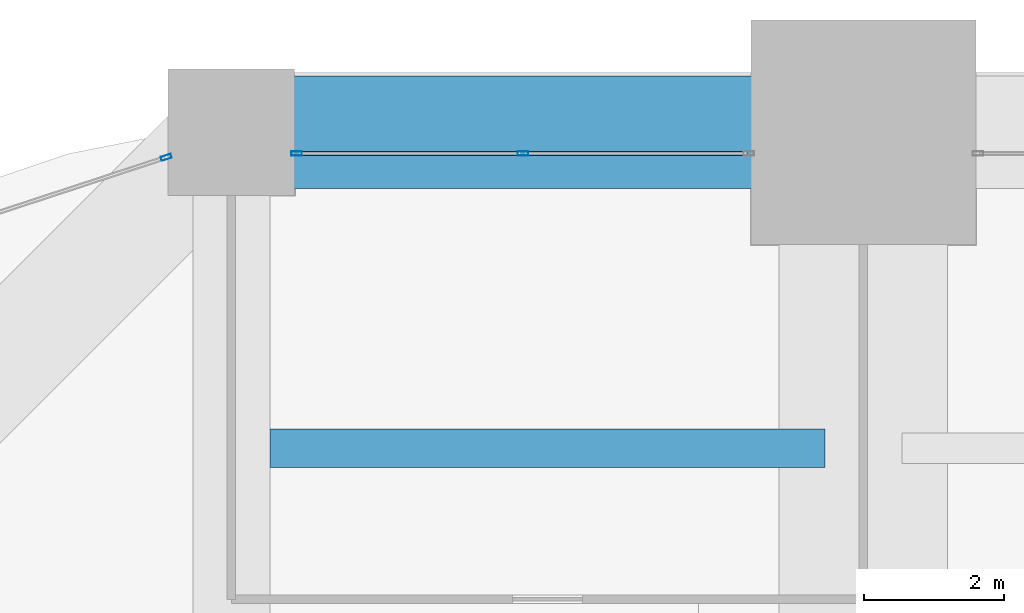
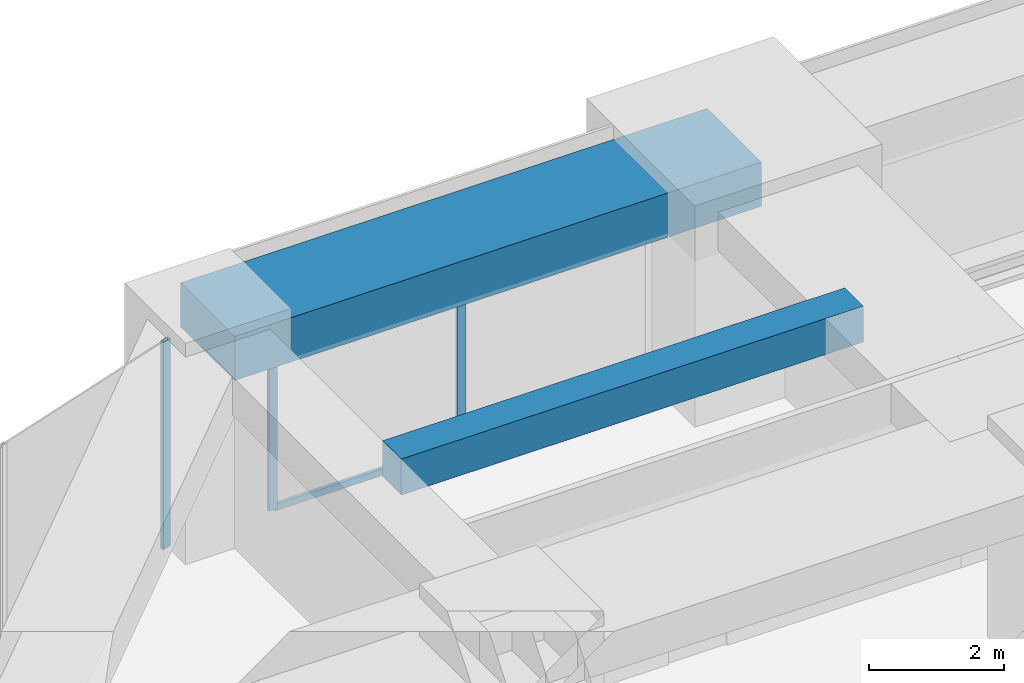
# One storey, part 23 of 35: 4 members, 2 beams, 2 elements without a shape of their own.
"""IFC4 building model written with IfcOpenShell, lengths in metres."""

from ifc_helpers import new_model, si_unit, direction, frame, origin, origin_2d, place, context, subcontext, project, spatial, rectangle, hollow_rectangle, extrude, material, material_profile, profile_set, type_object, element, aggregate, save


model = new_model("IFC4")

# Units and contexts
model_context = context("Model", 3, precision=1e-05, world=origin(), true_north=direction((0.0, 1.0)))
body_context = subcontext(model_context, "Body", "Model", "MODEL_VIEW")
ifc_project = project(units=[si_unit("LENGTHUNIT", "METRE"), si_unit("AREAUNIT", "SQUARE_METRE"), si_unit("VOLUMEUNIT", "CUBIC_METRE"), si_unit("PLANEANGLEUNIT", "RADIAN"), si_unit("MASSUNIT", "GRAM", prefix="KILO")], contexts=[model_context])

# Site, building, storey
site_placement = place(None, origin())
site = spatial("IfcSite", under=ifc_project, at=site_placement, CompositionType="ELEMENT")
building_placement = place(site_placement, origin())
building = spatial("IfcBuilding", under=site, at=building_placement, Name="Zorevar Civic Tower", CompositionType="ELEMENT")
storey_placement = place(building_placement, frame((0.0, 0.0, 162.199951171875)))
storey = spatial("IfcBuildingStorey", under=building, at=storey_placement, Name="L39", CompositionType="ELEMENT", Elevation=162.199951171875)

# Beam
ifc_material_1 = material(Name="Concrete C50/60", Category="concrete")
ifc_material_profile_1 = material_profile(ifc_material_1, rectangle(XDim=0.550048828125, YDim=0.64990234375, at=origin_2d()), Name="RC 550x650")
ifc_profile_set_1 = profile_set([ifc_material_profile_1], Name="Concrete C50/60")
beam_type_1 = type_object("IfcBeamType", Name="Beam RC 550x650", PredefinedType="BEAM", material=ifc_profile_set_1)
beam_1_placement = place(storey_placement, frame((9.550048828125, 40.5, 3.425048828125), z_axis=(1.0, 0.0, 0.0), x_axis=(0.0, 1.0, 0.0)))
element("IfcBeam", 1, at=beam_1_placement, inside=storey, type_object=beam_type_1, Name="Secondary beam L40", PredefinedType="BEAM", context=body_context, shape_type="SweptSolid", body=[
    extrude(rectangle(XDim=0.550048828125, YDim=0.64990234375, at=origin_2d()), origin(), (0.0, 0.0, 1.0), 7.89990234375),
])

# Curtain wall, members
ifc_material_2 = material(Name="Dark grey solar-control glass in black aluminium frame", Category="aluminium")
curtain_wall_type = type_object("IfcCurtainWallType", Name="Curtain wall CW4 high zone", PredefinedType="NOTDEFINED", material=ifc_material_2)
curtain_wall_1_placement = place(storey_placement, origin())
curtain_wall_1 = element("IfcCurtainWall", 2, at=curtain_wall_1_placement, inside=storey, type_object=curtain_wall_type, Name="CW4 L39", PredefinedType="NOTDEFINED")
ifc_material_3 = material(Name="Aluminium, black anodised", Category="aluminium")
ifc_material_profile_2 = material_profile(ifc_material_3, hollow_rectangle(XDim=0.06005859375, YDim=0.14990234375, WallThickness=0.00390625, at=origin_2d()), Name="AL 150x60x4")
ifc_profile_set_2 = profile_set([ifc_material_profile_2], Name="Aluminium, black anodised")
member_type_1 = type_object("IfcMemberType", Name="CW4 mullion AL 150x60x4", PredefinedType="MULLION", material=ifc_profile_set_2)
member_1_placement = place(storey_placement, frame((9.929931640625, 44.699951171875, 0.0), z_axis=(0.0, 0.0, 1.0), x_axis=(0.0, 1.0, 0.0)))
member_1 = element("IfcMember", 3, at=member_1_placement, type_object=member_type_1, Name="CW4 mullion 1", PredefinedType="MULLION", context=body_context, shape_type="SweptSolid", body=[
    extrude(hollow_rectangle(XDim=0.06005859375, YDim=0.14990234375, WallThickness=0.00390625, at=origin_2d()), origin(), (0.0, 0.0, 1.0), 2.949951171875),
])
member_2_placement = place(storey_placement, frame((13.14990234375, 44.699951171875, 0.06005859375), z_axis=(0.0, 0.0, 1.0), x_axis=(0.0, 1.0, 0.0)))
member_2 = element("IfcMember", 4, at=member_2_placement, type_object=member_type_1, Name="CW4 mullion 2", PredefinedType="MULLION", context=body_context, shape_type="SweptSolid", body=[
    extrude(hollow_rectangle(XDim=0.06005859375, YDim=0.14990234375, WallThickness=0.00390625, at=origin_2d()), origin(), (0.0, 0.0, 1.0), 2.889892578125),
])

# Curtain wall, member
curtain_wall_2_placement = place(storey_placement, origin())
curtain_wall_2 = element("IfcCurtainWall", 5, at=curtain_wall_2_placement, inside=storey, type_object=curtain_wall_type, Name="CW4 L39", PredefinedType="NOTDEFINED")
member_3_placement = place(storey_placement, frame((8.071533203125, 44.64404296875, 0.0), z_axis=(0.0, 0.0, 1.0), x_axis=(0.31203637361, -0.950070156117, 0.0)))
member_3 = element("IfcMember", 6, at=member_3_placement, type_object=member_type_1, Name="CW4 mullion 1", PredefinedType="MULLION", context=body_context, shape_type="SweptSolid", body=[
    extrude(hollow_rectangle(XDim=0.06005859375, YDim=0.14990234375, WallThickness=0.00390625, at=origin_2d()), origin(), (0.0, 0.0, 1.0), 3.75),
])
aggregate(curtain_wall_2, [member_3])

# Member
ifc_material_4 = material(Name="Aluminium, black anodised", Category="aluminium")
ifc_material_profile_3 = material_profile(ifc_material_4, hollow_rectangle(XDim=0.06005859375, YDim=0.1201171875, WallThickness=0.0029296875, at=origin_2d()), Name="AL 120x60x3")
ifc_profile_set_3 = profile_set([ifc_material_profile_3], Name="Aluminium, black anodised")
member_type_2 = type_object("IfcMemberType", Name="CW4 transom AL 120x60x3", PredefinedType="USERDEFINED", material=ifc_profile_set_3)
member_4_placement = place(storey_placement, frame((9.9599609375, 44.699951171875, 0.030029296875), z_axis=(1.0, 0.0, 0.0), x_axis=(0.0, 1.0, 0.0)))
member_4 = element("IfcMember", 7, at=member_4_placement, type_object=member_type_2, Name="CW4 sill transom", ObjectType="TRANSOM", PredefinedType="USERDEFINED", context=body_context, shape_type="SweptSolid", body=[
    extrude(hollow_rectangle(XDim=0.06005859375, YDim=0.1201171875, WallThickness=0.0029296875, at=origin_2d()), origin(), (0.0, 0.0, 1.0), 6.380126953125),
])

aggregate(curtain_wall_1, [member_1, member_2, member_4])

# Beam
ifc_material_5 = material(Name="Concrete C50/60", Category="concrete")
ifc_material_profile_4 = material_profile(ifc_material_5, rectangle(XDim=1.60009765625, YDim=0.800048828125, at=origin_2d()), Name="RC 1600x800")
ifc_profile_set_4 = profile_set([ifc_material_profile_4], Name="Concrete C50/60")
beam_type_2 = type_object("IfcBeamType", Name="Edge beam RC 1600x800", PredefinedType="SPANDREL", material=ifc_profile_set_4)
beam_2_placement = place(storey_placement, frame((9.0, 45.0, 3.35009765625), z_axis=(1.0, 0.0, 0.0), x_axis=(0.0, 1.0, 0.0)))
element("IfcBeam", 8, at=beam_2_placement, inside=storey, type_object=beam_type_2, Name="Edge beam L40", PredefinedType="SPANDREL", context=body_context, shape_type="SweptSolid", body=[
    extrude(rectangle(XDim=1.60009765625, YDim=0.800048828125, at=origin_2d()), origin(), (0.0, 0.0, 1.0), 9.0),
])

save(model, "model.ifc")
